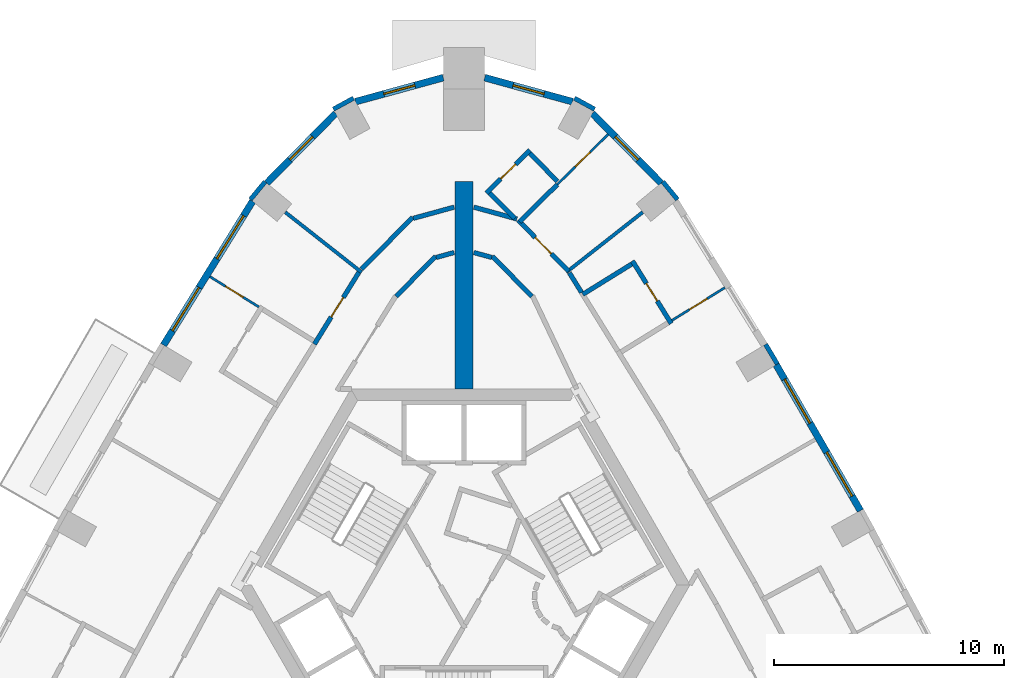
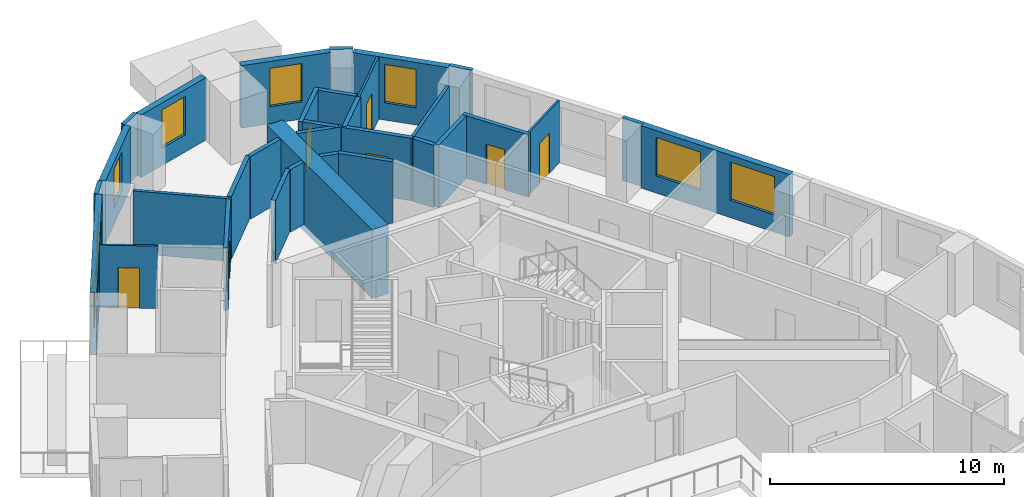
# One storey, part 8 of 11: 33 walls, 8 windows, 7 doors, 15 openings.
"""IFC4 building model written with IfcOpenShell, lengths in metres."""

from ifc_helpers import new_model, si_unit, direction, frame, frame_2d, origin, place, context, subcontext, project, spatial, rectangle, extrude, material, layer, layer_set, type_object, element, fill, save


model = new_model("IFC4")

# Units and contexts
model_context = context("Model", 3, precision=1e-05, world=origin(), true_north=direction((0.0, 1.0)))
body_context = subcontext(model_context, "Body", "Model", "MODEL_VIEW")
ifc_project = project(units=[si_unit("LENGTHUNIT", "METRE"), si_unit("AREAUNIT", "SQUARE_METRE"), si_unit("VOLUMEUNIT", "CUBIC_METRE"), si_unit("PLANEANGLEUNIT", "RADIAN"), si_unit("MASSUNIT", "GRAM", prefix="KILO")], contexts=[model_context])

# Site, building, storey
site_placement = place(None, origin())
site = spatial("IfcSite", under=ifc_project, at=site_placement, CompositionType="ELEMENT")
building_placement = place(site_placement, origin())
building = spatial("IfcBuilding", under=site, at=building_placement, Name="Entoto Arch Interchange Tower", CompositionType="ELEMENT")
storey_placement = place(building_placement, frame((0.0, 0.0, 304.39990234375)))
storey = spatial("IfcBuildingStorey", under=building, at=storey_placement, Name="L71", CompositionType="ELEMENT", Elevation=304.39990234375)

# Wall
ifc_material_1 = material(Name="Concrete C40/50", Category="concrete")
ifc_layer_1 = layer(ifc_material_1, 0.800048828125)
ifc_layer_set_1 = layer_set([ifc_layer_1], Name="Concrete C40/50")
wall_type_1 = type_object("IfcWallType", Name="Buttress wall 800 C40/50", PredefinedType="SHEAR", material=ifc_layer_set_1)
wall_1_placement = place(storey_placement, frame((0.0, 11.0, -0.33984375), z_axis=(0.0, 0.0, 1.0), x_axis=(0.0, 1.0, 0.0)))
element("IfcWall", 1, at=wall_1_placement, inside=storey, type_object=wall_type_1, Name="Buttress wall N L71", PredefinedType="SHEAR", context=body_context, shape_type="SweptSolid", body=[
    extrude(rectangle(XDim=9.0, YDim=0.800048828125, at=frame_2d((4.5, 0.0))), origin(), (0.0, 0.0, 1.0), 3.599853515625),
])

# Wall, opening, door
ifc_material_2 = material(Name="Gypsum board partition on steel studs", Category="steel")
ifc_layer_2 = layer(ifc_material_2, 0.10009765625)
ifc_layer_set_2 = layer_set([ifc_layer_2], Name="Gypsum board partition on steel studs")
wall_type_2 = type_object("IfcWallType", Name="PARTITION 100", PredefinedType="PARTITIONING", material=ifc_layer_set_2)
wall_2_placement = place(storey_placement, frame((9.031005859375, 13.97900390625, 0.0), z_axis=(0.0, 0.0, 1.0), x_axis=(0.85032680557, 0.526254998768, 0.0)))
wall_2 = element("IfcWall", 2, at=wall_2_placement, inside=storey, type_object=wall_type_2, Name="wall:L71:p104", PredefinedType="PARTITIONING", context=body_context, shape_type="SweptSolid", body=[
    extrude(rectangle(XDim=2.699951171875, YDim=0.10009765625, at=frame_2d((1.35009765625, 0.0))), origin(), (0.0, 0.0, 1.0), 3.260009765625),
])
opening_1_placement = place(wall_2_placement, frame((0.89990234375, 0.0, 0.0)))
opening_1 = element("IfcOpeningElement", 3, at=opening_1_placement, cuts=wall_2, Name="Opening L71-D10", PredefinedType="OPENING", context=body_context, shape_type="SweptSolid", body=[
    extrude(rectangle(XDim=0.89990234375, YDim=2.10009765625, at=frame_2d((0.449951171875, 1.050048828125))), frame((0.0, 0.06005859375, 0.0), z_axis=(0.0, -1.0, 0.0), x_axis=(1.0, 0.0, 0.0)), (0.0, 0.0, 1.0), 0.1201171875),
])
ifc_material_3 = material(Name="Timber door leaf in Steel S235 frame", Category="steel")
door_type_1 = type_object("IfcDoorType", Name="DOOR DS-09 900x2100", OperationType="SINGLE_SWING_LEFT", PredefinedType="DOOR", material=ifc_material_3)
door_1_placement = place(opening_1_placement, origin())
door_1 = element("IfcDoor", 4, at=door_1_placement, inside=storey, type_object=door_type_1, Name="door:L71:10", OperationType="SINGLE_SWING_LEFT", OverallHeight=2.10009765625, OverallWidth=0.89990234375, PredefinedType="DOOR", context=body_context, shape_type="SweptSolid", body=[
    extrude(rectangle(XDim=0.89990234375, YDim=2.10009765625, at=frame_2d((0.449951171875, 1.050048828125))), frame((0.0, 0.02490234375, 0.0), z_axis=(0.0, -1.0, 0.0), x_axis=(1.0, 0.0, 0.0)), (0.0, 0.0, 1.0), 0.050048828125),
])
fill(opening_1, door_1)

wall_3_placement = place(storey_placement, frame((4.052978515625, 19.881103515625, 0.0), z_axis=(0.0, 0.0, 1.0), x_axis=(0.711776071152, 0.702406452516, 0.0)))
wall_3 = element("IfcWall", 5, at=wall_3_placement, inside=storey, type_object=wall_type_2, Name="wall:L71:p109", PredefinedType="PARTITIONING", context=body_context, shape_type="SweptSolid", body=[
    extrude(rectangle(XDim=3.100830078125, YDim=0.10009765625, at=frame_2d((1.55029296875, 0.0))), origin(), (0.0, 0.0, 1.0), 3.260009765625),
])
opening_2_placement = place(wall_3_placement, frame((1.10009765625, 0.0, 0.0)))
opening_2 = element("IfcOpeningElement", 6, at=opening_2_placement, cuts=wall_3, Name="Opening L71-D13", PredefinedType="OPENING", context=body_context, shape_type="SweptSolid", body=[
    extrude(rectangle(XDim=0.89990234375, YDim=2.10009765625, at=frame_2d((0.449951171875, 1.050048828125))), frame((0.0, 0.06005859375, 0.0), z_axis=(0.0, -1.0, 0.0), x_axis=(1.0, 0.0, 0.0)), (0.0, 0.0, 1.0), 0.1201171875),
])
door_2_placement = place(opening_2_placement, origin())
door_2 = element("IfcDoor", 7, at=door_2_placement, inside=storey, type_object=door_type_1, Name="door:L71:13", OperationType="SINGLE_SWING_LEFT", OverallHeight=2.10009765625, OverallWidth=0.89990234375, PredefinedType="DOOR", context=body_context, shape_type="SweptSolid", body=[
    extrude(rectangle(XDim=0.89990234375, YDim=2.10009765625, at=frame_2d((0.449951171875, 1.050048828125))), frame((0.0, 0.02490234375, 0.0), z_axis=(0.0, -1.0, 0.0), x_axis=(1.0, 0.0, 0.0)), (0.0, 0.0, 1.0), 0.050048828125),
])
fill(opening_2, door_2)

wall_4_placement = place(storey_placement, frame((-8.906005859375, 14.56201171875, 0.0), z_axis=(0.0, 0.0, 1.0), x_axis=(-0.850186034224, 0.526482390219, 0.0)))
wall_4 = element("IfcWall", 8, at=wall_4_placement, inside=storey, type_object=wall_type_2, Name="wall:L71:p115", PredefinedType="PARTITIONING", context=body_context, shape_type="SweptSolid", body=[
    extrude(rectangle(XDim=2.49951171875, YDim=0.10009765625, at=frame_2d((1.249755859375, 0.0))), origin(), (0.0, 0.0, 1.0), 3.260009765625),
])
opening_3_placement = place(wall_4_placement, frame((0.800048828125, 0.0, 0.0)))
opening_3 = element("IfcOpeningElement", 9, at=opening_3_placement, cuts=wall_4, Name="Opening L71-D16", PredefinedType="OPENING", context=body_context, shape_type="SweptSolid", body=[
    extrude(rectangle(XDim=0.89990234375, YDim=2.10009765625, at=frame_2d((0.449951171875, 1.050048828125))), frame((0.0, 0.06005859375, 0.0), z_axis=(0.0, -1.0, 0.0), x_axis=(1.0, 0.0, 0.0)), (0.0, 0.0, 1.0), 0.1201171875),
])
door_3_placement = place(opening_3_placement, origin())
door_3 = element("IfcDoor", 10, at=door_3_placement, inside=storey, type_object=door_type_1, Name="door:L71:16", OperationType="SINGLE_SWING_LEFT", OverallHeight=2.10009765625, OverallWidth=0.89990234375, PredefinedType="DOOR", context=body_context, shape_type="SweptSolid", body=[
    extrude(rectangle(XDim=0.89990234375, YDim=2.10009765625, at=frame_2d((0.449951171875, 1.050048828125))), frame((0.0, 0.02490234375, 0.0), z_axis=(0.0, -1.0, 0.0), x_axis=(1.0, 0.0, 0.0)), (0.0, 0.0, 1.0), 0.050048828125),
])
fill(opening_3, door_3)

# Walls
ifc_layer_3 = layer(ifc_material_2, 0.14990234375)
ifc_layer_set_3 = layer_set([ifc_layer_3], Name="Gypsum board partition on steel studs")
wall_type_3 = type_object("IfcWallType", Name="PARTITION 150", PredefinedType="PARTITIONING", material=ifc_layer_set_3)
for number, where, z_axis, x_axis, name in (
    (11, (4.445068359375, 16.068115234375, 0.0), (0.0, 0.0, 1.0), (0.785872006963, 0.618389188677, 0.0), "wall:L71:p108"),
    (12, (-4.445068359375, 16.068115234375, 0.0), (0.0, 0.0, 1.0), (-0.785872006963, 0.618389188677, 0.0), "wall:L71:p114"),
):
    element("IfcWall", number, at=place(storey_placement, frame(where, z_axis=z_axis, x_axis=x_axis)), inside=storey, type_object=wall_type_3, Name=name, PredefinedType="PARTITIONING", context=body_context, shape_type="SweptSolid", body=[
        extrude(rectangle(XDim=4.215576171875, YDim=0.14990234375, at=frame_2d((2.10791015625, 0.0))), origin(), (0.0, 0.0, 1.0), 3.260009765625),
    ])
ifc_layer_4 = layer(ifc_material_2, 0.199951171875)
ifc_layer_set_4 = layer_set([ifc_layer_4], Name="Gypsum board partition on steel studs")
wall_type_4 = type_object("IfcWallType", Name="PARTITION 200", PredefinedType="PARTITIONING", material=ifc_layer_set_4)
wall_5_placement = place(storey_placement, frame((2.950927734375, 15.01904296875, 0.0), z_axis=(0.0, 0.0, 1.0), x_axis=(-0.702341227034, 0.711840432126, 0.0)))
element("IfcWall", 13, at=wall_5_placement, inside=storey, type_object=wall_type_4, Name="wall:L71:p006", PredefinedType="PARTITIONING", context=body_context, shape_type="SweptSolid", body=[
    extrude(rectangle(XDim=2.441650390625, YDim=0.199951171875, at=frame_2d((1.220703125, 0.0))), origin(), (0.0, 0.0, 1.0), 3.260009765625),
])
wall_6_placement = place(storey_placement, frame((1.208984375, 16.7119140625, 0.0), z_axis=(0.0, 0.0, 1.0), x_axis=(-0.964583129746, 0.26377904733, 0.0)))
element("IfcWall", 14, at=wall_6_placement, inside=storey, type_object=wall_type_4, Name="wall:L71:p007", PredefinedType="PARTITIONING", context=body_context, shape_type="SweptSolid", body=[
    extrude(rectangle(XDim=0.811767578125, YDim=0.199951171875, at=frame_2d((0.40576171875, 0.0))), origin(), (0.0, 0.0, 1.0), 3.260009765625),
])
wall_7_placement = place(storey_placement, frame((-0.426025390625, 16.927001953125, 0.0), z_axis=(0.0, 0.0, 1.0), x_axis=(-0.964276465753, -0.264897900321, 0.0)))
element("IfcWall", 15, at=wall_7_placement, inside=storey, type_object=wall_type_4, Name="wall:L71:p008", PredefinedType="PARTITIONING", context=body_context, shape_type="SweptSolid", body=[
    extrude(rectangle(XDim=0.81201171875, YDim=0.199951171875, at=frame_2d((0.406005859375, 0.0))), origin(), (0.0, 0.0, 1.0), 3.260009765625),
])
wall_8_placement = place(storey_placement, frame((-1.236083984375, 16.757080078125, 0.0), z_axis=(0.0, 0.0, 1.0), x_axis=(-0.702341227034, -0.711840432126, 0.0)))
element("IfcWall", 16, at=wall_8_placement, inside=storey, type_object=wall_type_4, Name="wall:L71:p009", PredefinedType="PARTITIONING", context=body_context, shape_type="SweptSolid", body=[
    extrude(rectangle(XDim=2.441650390625, YDim=0.199951171875, at=frame_2d((1.220703125, 0.0))), origin(), (0.0, 0.0, 1.0), 3.260009765625),
])
wall_9_placement = place(storey_placement, frame((4.576904296875, 16.044921875, 0.0), z_axis=(0.0, 0.0, 1.0), x_axis=(0.526203576349, -0.850358628014, 0.0)))
element("IfcWall", 17, at=wall_9_placement, inside=storey, type_object=wall_type_4, Name="wall:L71:p042", PredefinedType="PARTITIONING", context=body_context, shape_type="SweptSolid", body=[
    extrude(rectangle(XDim=1.001708984375, YDim=0.199951171875, at=frame_2d((0.5009765625, 0.0))), origin(), (0.0, 0.0, 1.0), 3.260009765625),
])

# Wall, opening, door
wall_10_placement = place(storey_placement, frame((2.345947265625, 18.3359375, 0.0), z_axis=(0.0, 0.0, 1.0), x_axis=(0.702481985573, -0.711701524479, 0.0)))
wall_10 = element("IfcWall", 18, at=wall_10_placement, inside=storey, type_object=wall_type_4, Name="wall:L71:p044", PredefinedType="PARTITIONING", context=body_context, shape_type="SweptSolid", body=[
    extrude(rectangle(XDim=3.124755859375, YDim=0.199951171875, at=frame_2d((1.5625, 0.0))), origin(), (0.0, 0.0, 1.0), 3.260009765625),
])
opening_4_placement = place(wall_10_placement, frame((1.06201171875, 0.0, 0.0)))
opening_4 = element("IfcOpeningElement", 19, at=opening_4_placement, cuts=wall_10, Name="Opening L71-D12", PredefinedType="OPENING", context=body_context, shape_type="SweptSolid", body=[
    extrude(rectangle(XDim=1.0, YDim=2.10009765625, at=frame_2d((0.5, 1.050048828125))), frame((0.0, 0.10986328125, 0.0), z_axis=(0.0, -1.0, 0.0), x_axis=(1.0, 0.0, 0.0)), (0.0, 0.0, 1.0), 0.219970703125),
])
ifc_material_4 = material(Name="Fire-rated Steel S235 door and frame", Category="steel")
door_type_2 = type_object("IfcDoorType", Name="DOOR FD-10 1000x2100", OperationType="SINGLE_SWING_LEFT", PredefinedType="DOOR", material=ifc_material_4)
door_4_placement = place(opening_4_placement, origin())
door_4 = element("IfcDoor", 20, at=door_4_placement, inside=storey, type_object=door_type_2, Name="door:L71:12", OperationType="SINGLE_SWING_LEFT", OverallHeight=2.10009765625, OverallWidth=1.0, PredefinedType="DOOR", context=body_context, shape_type="SweptSolid", body=[
    extrude(rectangle(XDim=1.0, YDim=2.10009765625, at=frame_2d((0.5, 1.050048828125))), frame((0.0, 0.02490234375, 0.0), z_axis=(0.0, -1.0, 0.0), x_axis=(1.0, 0.0, 0.0)), (0.0, 0.0, 1.0), 0.050048828125),
])
fill(opening_4, door_4)

# Walls
wall_11_placement = place(storey_placement, frame((-4.4541015625, 16.200927734375, 0.0), z_axis=(0.0, 0.0, 1.0), x_axis=(0.702505657511, 0.711678158415, 0.0)))
element("IfcWall", 21, at=wall_11_placement, inside=storey, type_object=wall_type_4, Name="wall:L71:p045", PredefinedType="PARTITIONING", context=body_context, shape_type="SweptSolid", body=[
    extrude(rectangle(XDim=3.16748046875, YDim=0.199951171875, at=frame_2d((1.583740234375, 0.0))), origin(), (0.0, 0.0, 1.0), 3.260009765625),
])
wall_12_placement = place(storey_placement, frame((-2.202880859375, 18.409912109375, 0.0), z_axis=(0.0, 0.0, 1.0), x_axis=(0.964423583418, 0.264361781934, 0.0)))
element("IfcWall", 22, at=wall_12_placement, inside=storey, type_object=wall_type_4, Name="wall:L71:p046", PredefinedType="PARTITIONING", context=body_context, shape_type="SweptSolid", body=[
    extrude(rectangle(XDim=1.84228515625, YDim=0.199951171875, at=frame_2d((0.921142578125, 0.0))), origin(), (0.0, 0.0, 1.0), 3.260009765625),
])
wall_13_placement = place(storey_placement, frame((0.426025390625, 18.89599609375, 0.0), z_axis=(0.0, 0.0, 1.0), x_axis=(0.964522741234, -0.263999775838, 0.0)))
element("IfcWall", 23, at=wall_13_placement, inside=storey, type_object=wall_type_4, Name="wall:L71:p047", PredefinedType="PARTITIONING", context=body_context, shape_type="SweptSolid", body=[
    extrude(rectangle(XDim=1.94287109375, YDim=0.199951171875, at=frame_2d((0.971435546875, 0.0))), origin(), (0.0, 0.0, 1.0), 3.260009765625),
])

# Wall, opening, door
wall_14_placement = place(storey_placement, frame((-6.492919921875, 12.949951171875, 0.0), z_axis=(0.0, 0.0, 1.0), x_axis=(0.526432748426, 0.850216773173, 0.0)))
wall_14 = element("IfcWall", 24, at=wall_14_placement, inside=storey, type_object=wall_type_4, Name="wall:L71:p048", PredefinedType="PARTITIONING", context=body_context, shape_type="SweptSolid", body=[
    extrude(rectangle(XDim=3.764892578125, YDim=0.199951171875, at=frame_2d((1.88232421875, 0.0))), origin(), (0.0, 0.0, 1.0), 3.260009765625),
])
opening_5_placement = place(wall_14_placement, frame((1.383056640625, 0.0, 0.0)))
opening_5 = element("IfcOpeningElement", 25, at=opening_5_placement, cuts=wall_14, Name="Opening L71-D15", PredefinedType="OPENING", context=body_context, shape_type="SweptSolid", body=[
    extrude(rectangle(XDim=1.0, YDim=2.10009765625, at=frame_2d((0.5, 1.050048828125))), frame((0.0, 0.10986328125, 0.0), z_axis=(0.0, -1.0, 0.0), x_axis=(1.0, 0.0, 0.0)), (0.0, 0.0, 1.0), 0.219970703125),
])
door_5_placement = place(opening_5_placement, origin())
door_5 = element("IfcDoor", 26, at=door_5_placement, inside=storey, type_object=door_type_2, Name="door:L71:15", OperationType="SINGLE_SWING_LEFT", OverallHeight=2.10009765625, OverallWidth=1.0, PredefinedType="DOOR", context=body_context, shape_type="SweptSolid", body=[
    extrude(rectangle(XDim=1.0, YDim=2.10009765625, at=frame_2d((0.5, 1.050048828125))), frame((0.0, 0.02490234375, 0.0), z_axis=(0.0, -1.0, 0.0), x_axis=(1.0, 0.0, 0.0)), (0.0, 0.0, 1.0), 0.050048828125),
])
fill(opening_5, door_5)

wall_15_placement = place(storey_placement, frame((8.9990234375, 13.841064453125, 0.0), z_axis=(0.0, 0.0, 1.0), x_axis=(-0.526283695852, 0.850309044689, 0.0)))
wall_15 = element("IfcWall", 27, at=wall_15_placement, inside=storey, type_object=wall_type_4, Name="wall:L71:p106", PredefinedType="PARTITIONING", context=body_context, shape_type="SweptSolid", body=[
    extrude(rectangle(XDim=3.199951171875, YDim=0.199951171875, at=frame_2d((1.60009765625, 0.0))), origin(), (0.0, 0.0, 1.0), 3.260009765625),
])
opening_6_placement = place(wall_15_placement, frame((1.14990234375, 0.0, 0.0)))
opening_6 = element("IfcOpeningElement", 28, at=opening_6_placement, cuts=wall_15, Name="Opening L71-D11", PredefinedType="OPENING", context=body_context, shape_type="SweptSolid", body=[
    extrude(rectangle(XDim=0.89990234375, YDim=2.10009765625, at=frame_2d((0.449951171875, 1.050048828125))), frame((0.0, 0.10986328125, 0.0), z_axis=(0.0, -1.0, 0.0), x_axis=(1.0, 0.0, 0.0)), (0.0, 0.0, 1.0), 0.219970703125),
])
door_6_placement = place(opening_6_placement, origin())
door_6 = element("IfcDoor", 29, at=door_6_placement, inside=storey, type_object=door_type_1, Name="door:L71:11", OperationType="SINGLE_SWING_RIGHT", OverallHeight=2.10009765625, OverallWidth=0.89990234375, PredefinedType="DOOR", context=body_context, shape_type="SweptSolid", body=[
    extrude(rectangle(XDim=0.89990234375, YDim=2.10009765625, at=frame_2d((0.449951171875, 1.050048828125))), frame((0.0, 0.02490234375, 0.0), z_axis=(0.0, -1.0, 0.0), x_axis=(1.0, 0.0, 0.0)), (0.0, 0.0, 1.0), 0.050048828125),
])
fill(opening_6, door_6)

# Walls
wall_16_placement = place(storey_placement, frame((7.281982421875, 16.424072265625, 0.0), z_axis=(0.0, 0.0, 1.0), x_axis=(-0.850142312258, -0.526552987751, 0.0)))
element("IfcWall", 30, at=wall_16_placement, inside=storey, type_object=wall_type_4, Name="wall:L71:p107", PredefinedType="PARTITIONING", context=body_context, shape_type="SweptSolid", body=[
    extrude(rectangle(XDim=2.49951171875, YDim=0.199951171875, at=frame_2d((1.249755859375, 0.0))), origin(), (0.0, 0.0, 1.0), 3.260009765625),
])
wall_17_placement = place(storey_placement, frame((2.416015625, 18.264892578125, 0.0), z_axis=(0.0, 0.0, 1.0), x_axis=(0.71207765541, 0.702100714047, 0.0)))
element("IfcWall", 31, at=wall_17_placement, inside=storey, type_object=wall_type_4, Name="wall:L71:p110", PredefinedType="PARTITIONING", context=body_context, shape_type="SweptSolid", body=[
    extrude(rectangle(XDim=2.30029296875, YDim=0.199951171875, at=frame_2d((1.150146484375, 0.0))), origin(), (0.0, 0.0, 1.0), 3.260009765625),
])
wall_18_placement = place(storey_placement, frame((4.053955078125, 20.02197265625, 0.0), z_axis=(0.0, 0.0, 1.0), x_axis=(-0.702351102688, 0.711830688123, 0.0)))
element("IfcWall", 32, at=wall_18_placement, inside=storey, type_object=wall_type_4, Name="wall:L71:p111", PredefinedType="PARTITIONING", context=body_context, shape_type="SweptSolid", body=[
    extrude(rectangle(XDim=1.69970703125, YDim=0.199951171875, at=frame_2d((0.849853515625, 0.0))), origin(), (0.0, 0.0, 1.0), 3.260009765625),
])

# Wall, opening, door
wall_19_placement = place(storey_placement, frame((2.861083984375, 21.3740234375, 0.0), z_axis=(0.0, 0.0, 1.0), x_axis=(-0.711606122075, -0.702578626934, 0.0)))
wall_19 = element("IfcWall", 33, at=wall_19_placement, inside=storey, type_object=wall_type_4, Name="wall:L71:p112", PredefinedType="PARTITIONING", context=body_context, shape_type="SweptSolid", body=[
    extrude(rectangle(XDim=2.650390625, YDim=0.199951171875, at=frame_2d((1.3251953125, 0.0))), origin(), (0.0, 0.0, 1.0), 3.260009765625),
])
opening_7_placement = place(wall_19_placement, frame((0.875, 0.0, 0.0)))
opening_7 = element("IfcOpeningElement", 34, at=opening_7_placement, cuts=wall_19, Name="Opening L71-D14", PredefinedType="OPENING", context=body_context, shape_type="SweptSolid", body=[
    extrude(rectangle(XDim=0.89990234375, YDim=2.10009765625, at=frame_2d((0.449951171875, 1.050048828125))), frame((0.0, 0.10986328125, 0.0), z_axis=(0.0, -1.0, 0.0), x_axis=(1.0, 0.0, 0.0)), (0.0, 0.0, 1.0), 0.219970703125),
])
door_7_placement = place(opening_7_placement, origin())
door_7 = element("IfcDoor", 35, at=door_7_placement, inside=storey, type_object=door_type_1, Name="door:L71:14", OperationType="SINGLE_SWING_LEFT", OverallHeight=2.10009765625, OverallWidth=0.89990234375, PredefinedType="DOOR", context=body_context, shape_type="SweptSolid", body=[
    extrude(rectangle(XDim=0.89990234375, YDim=2.10009765625, at=frame_2d((0.449951171875, 1.050048828125))), frame((0.0, 0.02490234375, 0.0), z_axis=(0.0, -1.0, 0.0), x_axis=(1.0, 0.0, 0.0)), (0.0, 0.0, 1.0), 0.050048828125),
])
fill(opening_7, door_7)

# Wall
wall_20_placement = place(storey_placement, frame((1.115966796875, 19.510986328125, 0.0), z_axis=(0.0, 0.0, 1.0), x_axis=(0.702515837086, -0.711668109896, 0.0)))
element("IfcWall", 36, at=wall_20_placement, inside=storey, type_object=wall_type_4, Name="wall:L71:p113", PredefinedType="PARTITIONING", context=body_context, shape_type="SweptSolid", body=[
    extrude(rectangle(XDim=1.547119140625, YDim=0.199951171875, at=frame_2d((0.7734375, 0.0))), origin(), (0.0, 0.0, 1.0), 3.260009765625),
])

# Wall, openings, windows
ifc_material_5 = material(Name="Welded tuff (ignimbrite) cladding, warm buff", Category="masonry")
ifc_layer_5 = layer(ifc_material_5, 0.300048828125)
ifc_layer_set_5 = layer_set([ifc_layer_5], Name="Welded tuff (ignimbrite) cladding, warm buff")
wall_type_5 = type_object("IfcWallType", Name="STONE INFILL WALL 300", PredefinedType="STANDARD", material=ifc_layer_set_5)
wall_21_placement = place(storey_placement, frame((17.215087890625, 5.717041015625, 0.0), z_axis=(0.0, 0.0, 1.0), x_axis=(-0.499905472729, 0.866079972252, 0.0)))
wall_21 = element("IfcWall", 37, at=wall_21_placement, inside=storey, type_object=wall_type_5, Name="Facade wall NE-02 L71", PredefinedType="STANDARD", context=body_context, shape_type="SweptSolid", body=[
    extrude(rectangle(XDim=7.3134765625, YDim=0.300048828125, at=frame_2d((3.65673828125, 0.0))), origin(), (0.0, 0.0, 1.0), 3.260009765625),
])
opening_8_placement = place(wall_21_placement, frame((0.72802734375, 0.0, 0.89990234375)))
opening_8 = element("IfcOpeningElement", 38, at=opening_8_placement, cuts=wall_21, Name="Opening WH-A", PredefinedType="OPENING", context=body_context, shape_type="SweptSolid", body=[
    extrude(rectangle(XDim=2.199951171875, YDim=2.0, at=frame_2d((1.10009765625, 1.0))), frame((0.0, 0.16015625, 0.0), z_axis=(0.0, -1.0, 0.0), x_axis=(1.0, 0.0, 0.0)), (0.0, 0.0, 1.0), 0.320068359375),
])
opening_9_placement = place(wall_21_placement, frame((4.385009765625, 0.0, 0.89990234375)))
opening_9 = element("IfcOpeningElement", 39, at=opening_9_placement, cuts=wall_21, Name="Opening WH-A", PredefinedType="OPENING", context=body_context, shape_type="SweptSolid", body=[
    extrude(rectangle(XDim=2.199951171875, YDim=2.0, at=frame_2d((1.10009765625, 1.0))), frame((0.0, 0.16015625, 0.0), z_axis=(0.0, -1.0, 0.0), x_axis=(1.0, 0.0, 0.0)), (0.0, 0.0, 1.0), 0.320068359375),
])
ifc_material_6 = material(Name="Clear glass, low-e double glazed", Category="glass")
window_type_1 = type_object("IfcWindowType", Name="WINDOW WH-A 2200x2000", PartitioningType="DOUBLE_PANEL_VERTICAL", PredefinedType="WINDOW", material=ifc_material_6)
window_1_placement = place(opening_8_placement, origin())
window_1 = element("IfcWindow", 40, at=window_1_placement, inside=storey, type_object=window_type_1, Name="Window WH-A NE-02 L71", OverallHeight=2.0, OverallWidth=2.199951171875, PartitioningType="SINGLE_PANEL", PredefinedType="WINDOW", context=body_context, shape_type="SweptSolid", body=[
    extrude(rectangle(XDim=2.199951171875, YDim=2.0, at=frame_2d((1.10009765625, 1.0))), frame((0.0, 0.030029296875, 0.0), z_axis=(0.0, -1.0, 0.0), x_axis=(1.0, 0.0, 0.0)), (0.0, 0.0, 1.0), 0.06005859375),
])
fill(opening_8, window_1)
window_2_placement = place(opening_9_placement, origin())
window_2 = element("IfcWindow", 41, at=window_2_placement, inside=storey, type_object=window_type_1, Name="Window WH-A NE-02 L71", OverallHeight=2.0, OverallWidth=2.199951171875, PartitioningType="SINGLE_PANEL", PredefinedType="WINDOW", context=body_context, shape_type="SweptSolid", body=[
    extrude(rectangle(XDim=2.199951171875, YDim=2.0, at=frame_2d((1.10009765625, 1.0))), frame((0.0, 0.030029296875, 0.0), z_axis=(0.0, -1.0, 0.0), x_axis=(1.0, 0.0, 0.0)), (0.0, 0.0, 1.0), 0.06005859375),
])
fill(opening_9, window_2)

# Wall, opening, window
wall_22_placement = place(storey_placement, frame((8.56396484375, 19.93798828125, 0.0), z_axis=(0.0, 0.0, 1.0), x_axis=(-0.70250598769, 0.711677832491, 0.0)))
wall_22 = element("IfcWall", 42, at=wall_22_placement, inside=storey, type_object=wall_type_5, Name="Facade wall N-01 L71", PredefinedType="STANDARD", context=body_context, shape_type="SweptSolid", body=[
    extrude(rectangle(XDim=4.259033203125, YDim=0.300048828125, at=frame_2d((2.12939453125, 0.0))), origin(), (0.0, 0.0, 1.0), 3.260009765625),
])
opening_10_placement = place(wall_22_placement, frame((1.428955078125, 0.0, 0.89990234375)))
opening_10 = element("IfcOpeningElement", 43, at=opening_10_placement, cuts=wall_22, Name="Opening WH-B", PredefinedType="OPENING", context=body_context, shape_type="SweptSolid", body=[
    extrude(rectangle(XDim=1.39990234375, YDim=2.0, at=frame_2d((0.699951171875, 1.0))), frame((0.0, 0.16015625, 0.0), z_axis=(0.0, -1.0, 0.0), x_axis=(1.0, 0.0, 0.0)), (0.0, 0.0, 1.0), 0.320068359375),
])
window_type_2 = type_object("IfcWindowType", Name="WINDOW WH-B 1400x2000", PartitioningType="DOUBLE_PANEL_VERTICAL", PredefinedType="WINDOW", material=ifc_material_6)
window_3_placement = place(opening_10_placement, origin())
window_3 = element("IfcWindow", 44, at=window_3_placement, inside=storey, type_object=window_type_2, Name="Window WH-B N-01 L71", OverallHeight=2.0, OverallWidth=1.39990234375, PartitioningType="SINGLE_PANEL", PredefinedType="WINDOW", context=body_context, shape_type="SweptSolid", body=[
    extrude(rectangle(XDim=1.39990234375, YDim=2.0, at=frame_2d((0.699951171875, 1.0))), frame((0.0, 0.030029296875, 0.0), z_axis=(0.0, -1.0, 0.0), x_axis=(1.0, 0.0, 0.0)), (0.0, 0.0, 1.0), 0.06005859375),
])
fill(opening_10, window_3)

wall_23_placement = place(storey_placement, frame((4.712890625, 23.47705078125, 0.0), z_axis=(0.0, 0.0, 1.0), x_axis=(-0.964521196932, 0.264005417877, 0.0)))
wall_23 = element("IfcWall", 45, at=wall_23_placement, inside=storey, type_object=wall_type_5, Name="Facade wall N-02 L71", PredefinedType="STANDARD", context=body_context, shape_type="SweptSolid", body=[
    extrude(rectangle(XDim=3.954345703125, YDim=0.300048828125, at=frame_2d((1.97705078125, 0.0))), origin(), (0.0, 0.0, 1.0), 3.260009765625),
])
opening_11_placement = place(wall_23_placement, frame((1.277099609375, 0.0, 0.89990234375)))
opening_11 = element("IfcOpeningElement", 46, at=opening_11_placement, cuts=wall_23, Name="Opening WH-B", PredefinedType="OPENING", context=body_context, shape_type="SweptSolid", body=[
    extrude(rectangle(XDim=1.39990234375, YDim=2.0, at=frame_2d((0.699951171875, 1.0))), frame((0.0, 0.16015625, 0.0), z_axis=(0.0, -1.0, 0.0), x_axis=(1.0, 0.0, 0.0)), (0.0, 0.0, 1.0), 0.320068359375),
])
window_4_placement = place(opening_11_placement, origin())
window_4 = element("IfcWindow", 47, at=window_4_placement, inside=storey, type_object=window_type_2, Name="Window WH-B N-02 L71", OverallHeight=2.0, OverallWidth=1.39990234375, PartitioningType="SINGLE_PANEL", PredefinedType="WINDOW", context=body_context, shape_type="SweptSolid", body=[
    extrude(rectangle(XDim=1.39990234375, YDim=2.0, at=frame_2d((0.699951171875, 1.0))), frame((0.0, 0.030029296875, 0.0), z_axis=(0.0, -1.0, 0.0), x_axis=(1.0, 0.0, 0.0)), (0.0, 0.0, 1.0), 0.06005859375),
])
fill(opening_11, window_4)

wall_24_placement = place(storey_placement, frame((-0.89892578125, 24.52099609375, 0.0), z_axis=(0.0, 0.0, 1.0), x_axis=(-0.964521196932, -0.264005417877, 0.0)))
wall_24 = element("IfcWall", 48, at=wall_24_placement, inside=storey, type_object=wall_type_5, Name="Facade wall N-03 L71", PredefinedType="STANDARD", context=body_context, shape_type="SweptSolid", body=[
    extrude(rectangle(XDim=3.954345703125, YDim=0.300048828125, at=frame_2d((1.97705078125, 0.0))), origin(), (0.0, 0.0, 1.0), 3.260009765625),
])
opening_12_placement = place(wall_24_placement, frame((1.277099609375, 0.0, 0.89990234375)))
opening_12 = element("IfcOpeningElement", 49, at=opening_12_placement, cuts=wall_24, Name="Opening WH-B", PredefinedType="OPENING", context=body_context, shape_type="SweptSolid", body=[
    extrude(rectangle(XDim=1.39990234375, YDim=2.0, at=frame_2d((0.699951171875, 1.0))), frame((0.0, 0.16015625, 0.0), z_axis=(0.0, -1.0, 0.0), x_axis=(1.0, 0.0, 0.0)), (0.0, 0.0, 1.0), 0.320068359375),
])
window_5_placement = place(opening_12_placement, origin())
window_5 = element("IfcWindow", 50, at=window_5_placement, inside=storey, type_object=window_type_2, Name="Window WH-B N-03 L71", OverallHeight=2.0, OverallWidth=1.39990234375, PartitioningType="SINGLE_PANEL", PredefinedType="WINDOW", context=body_context, shape_type="SweptSolid", body=[
    extrude(rectangle(XDim=1.39990234375, YDim=2.0, at=frame_2d((0.699951171875, 1.0))), frame((0.0, 0.030029296875, 0.0), z_axis=(0.0, -1.0, 0.0), x_axis=(1.0, 0.0, 0.0)), (0.0, 0.0, 1.0), 0.06005859375),
])
fill(opening_12, window_5)

wall_25_placement = place(storey_placement, frame((-5.572021484375, 22.968994140625, 0.0), z_axis=(0.0, 0.0, 1.0), x_axis=(-0.70250598769, -0.711677832491, 0.0)))
wall_25 = element("IfcWall", 51, at=wall_25_placement, inside=storey, type_object=wall_type_5, Name="Facade wall N-04 L71", PredefinedType="STANDARD", context=body_context, shape_type="SweptSolid", body=[
    extrude(rectangle(XDim=4.259033203125, YDim=0.300048828125, at=frame_2d((2.12939453125, 0.0))), origin(), (0.0, 0.0, 1.0), 3.260009765625),
])
opening_13_placement = place(wall_25_placement, frame((1.428955078125, 0.0, 0.89990234375)))
opening_13 = element("IfcOpeningElement", 52, at=opening_13_placement, cuts=wall_25, Name="Opening WH-B", PredefinedType="OPENING", context=body_context, shape_type="SweptSolid", body=[
    extrude(rectangle(XDim=1.39990234375, YDim=2.0, at=frame_2d((0.699951171875, 1.0))), frame((0.0, 0.16015625, 0.0), z_axis=(0.0, -1.0, 0.0), x_axis=(1.0, 0.0, 0.0)), (0.0, 0.0, 1.0), 0.320068359375),
])
window_6_placement = place(opening_13_placement, origin())
window_6 = element("IfcWindow", 53, at=window_6_placement, inside=storey, type_object=window_type_2, Name="Window WH-B N-04 L71", OverallHeight=2.0, OverallWidth=1.39990234375, PartitioningType="SINGLE_PANEL", PredefinedType="WINDOW", context=body_context, shape_type="SweptSolid", body=[
    extrude(rectangle(XDim=1.39990234375, YDim=2.0, at=frame_2d((0.699951171875, 1.0))), frame((0.0, 0.030029296875, 0.0), z_axis=(0.0, -1.0, 0.0), x_axis=(1.0, 0.0, 0.0)), (0.0, 0.0, 1.0), 0.06005859375),
])
fill(opening_13, window_6)

# Wall, openings, windows
wall_26_placement = place(storey_placement, frame((-9.179931640625, 19.153076171875, 0.0), z_axis=(0.0, 0.0, 1.0), x_axis=(-0.526409529565, -0.850231149267, 0.0)))
wall_26 = element("IfcWall", 54, at=wall_26_placement, inside=storey, type_object=wall_type_5, Name="Facade wall NW-01 L71", PredefinedType="STANDARD", context=body_context, shape_type="SweptSolid", body=[
    extrude(rectangle(XDim=7.346435546875, YDim=0.300048828125, at=frame_2d((3.67333984375, 0.0))), origin(), (0.0, 0.0, 1.0), 3.260009765625),
])
opening_14_placement = place(wall_26_placement, frame((0.737060546875, 0.0, 0.89990234375)))
opening_14 = element("IfcOpeningElement", 55, at=opening_14_placement, cuts=wall_26, Name="Opening WH-A", PredefinedType="OPENING", context=body_context, shape_type="SweptSolid", body=[
    extrude(rectangle(XDim=2.199951171875, YDim=2.0, at=frame_2d((1.10009765625, 1.0))), frame((0.0, 0.16015625, 0.0), z_axis=(0.0, -1.0, 0.0), x_axis=(1.0, 0.0, 0.0)), (0.0, 0.0, 1.0), 0.320068359375),
])
opening_15_placement = place(wall_26_placement, frame((4.409912109375, 0.0, 0.89990234375)))
opening_15 = element("IfcOpeningElement", 56, at=opening_15_placement, cuts=wall_26, Name="Opening WH-A", PredefinedType="OPENING", context=body_context, shape_type="SweptSolid", body=[
    extrude(rectangle(XDim=2.199951171875, YDim=2.0, at=frame_2d((1.10009765625, 1.0))), frame((0.0, 0.16015625, 0.0), z_axis=(0.0, -1.0, 0.0), x_axis=(1.0, 0.0, 0.0)), (0.0, 0.0, 1.0), 0.320068359375),
])
window_7_placement = place(opening_14_placement, origin())
window_7 = element("IfcWindow", 57, at=window_7_placement, inside=storey, type_object=window_type_1, Name="Window WH-A NW-01 L71", OverallHeight=2.0, OverallWidth=2.199951171875, PartitioningType="SINGLE_PANEL", PredefinedType="WINDOW", context=body_context, shape_type="SweptSolid", body=[
    extrude(rectangle(XDim=2.199951171875, YDim=2.0, at=frame_2d((1.10009765625, 1.0))), frame((0.0, 0.030029296875, 0.0), z_axis=(0.0, -1.0, 0.0), x_axis=(1.0, 0.0, 0.0)), (0.0, 0.0, 1.0), 0.06005859375),
])
fill(opening_14, window_7)
window_8_placement = place(opening_15_placement, origin())
window_8 = element("IfcWindow", 58, at=window_8_placement, inside=storey, type_object=window_type_1, Name="Window WH-A NW-01 L71", OverallHeight=2.0, OverallWidth=2.199951171875, PartitioningType="SINGLE_PANEL", PredefinedType="WINDOW", context=body_context, shape_type="SweptSolid", body=[
    extrude(rectangle(XDim=2.199951171875, YDim=2.0, at=frame_2d((1.10009765625, 1.0))), frame((0.0, 0.030029296875, 0.0), z_axis=(0.0, -1.0, 0.0), x_axis=(1.0, 0.0, 0.0)), (0.0, 0.0, 1.0), 0.06005859375),
])
fill(opening_15, window_8)

# Walls
ifc_layer_6 = layer(ifc_material_5, 0.199951171875)
ifc_layer_set_6 = layer_set([ifc_layer_6], Name="Welded tuff (ignimbrite) cladding, warm buff")
wall_type_6 = type_object("IfcWallType", Name="STONE PIER CLADDING 200", PredefinedType="STANDARD", material=ifc_layer_set_6)
for number, where, z_axis, x_axis, name in (
    (59, (5.672119140625, 23.14990234375, 0.0), (0.0, 0.0, 1.0), (-0.877895572914, 0.478852130681, 0.0), "Stone pier N1 L71"),
    (60, (-4.7939453125, 23.62890625, 0.0), (0.0, 0.0, 1.0), (-0.877895572914, -0.478852130681, 0.0), "Stone pier N3 L71"),
):
    element("IfcWall", number, at=place(storey_placement, frame(where, z_axis=z_axis, x_axis=x_axis)), inside=storey, type_object=wall_type_6, Name=name, PredefinedType="STANDARD", context=body_context, shape_type="SweptSolid", body=[
        extrude(rectangle(XDim=1.000244140625, YDim=0.199951171875, at=frame_2d((0.5, 0.0))), origin(), (0.0, 0.0, 1.0), 3.260009765625),
    ])
wall_27_placement = place(storey_placement, frame((13.60888671875, 12.080078125, 0.0), z_axis=(0.0, 0.0, 1.0), x_axis=(-0.513885310016, 0.857858897576, 0.0)))
element("IfcWall", 61, at=wall_27_placement, inside=storey, type_object=wall_type_6, Name="Stone pier NE03 L71", PredefinedType="STANDARD", context=body_context, shape_type="SweptSolid", body=[
    extrude(rectangle(XDim=1.0, YDim=0.199951171875, at=frame_2d((0.5, 0.0))), origin(), (0.0, 0.0, 1.0), 3.260009765625),
])
for number, where, z_axis, x_axis, name in (
    (62, (9.27294921875, 19.22705078125, 0.0), (0.0, 0.0, 1.0), (-0.635852688617, 0.771810441999, 0.0), "Stone pier NE04 L71"),
    (63, (-8.636962890625, 19.9990234375, 0.0), (0.0, 0.0, 1.0), (-0.635852688617, -0.771810441999, 0.0), "Stone pier NW01 L71"),
):
    element("IfcWall", number, at=place(storey_placement, frame(where, z_axis=z_axis, x_axis=x_axis)), inside=storey, type_object=wall_type_6, Name=name, PredefinedType="STANDARD", context=body_context, shape_type="SweptSolid", body=[
        extrude(rectangle(XDim=1.000244140625, YDim=0.199951171875, at=frame_2d((0.5, 0.0))), origin(), (0.0, 0.0, 1.0), 3.260009765625),
    ])

save(model, "model.ifc")
